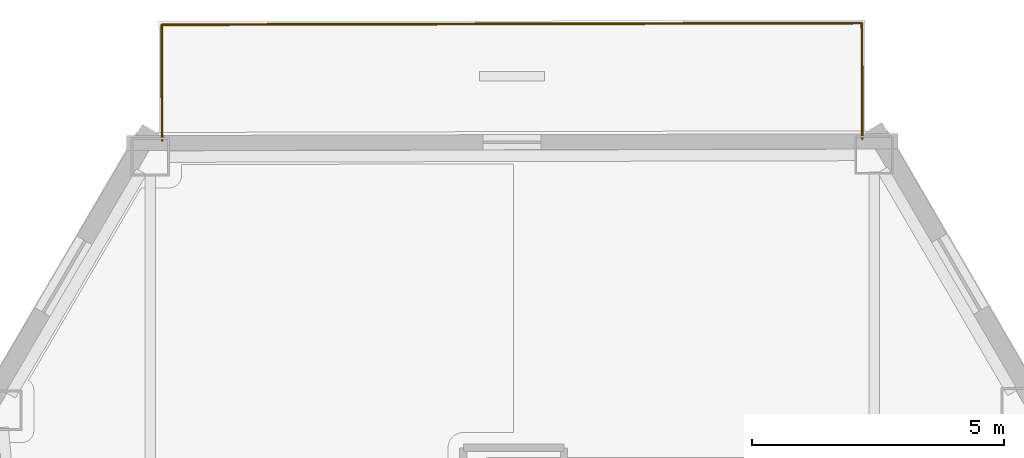
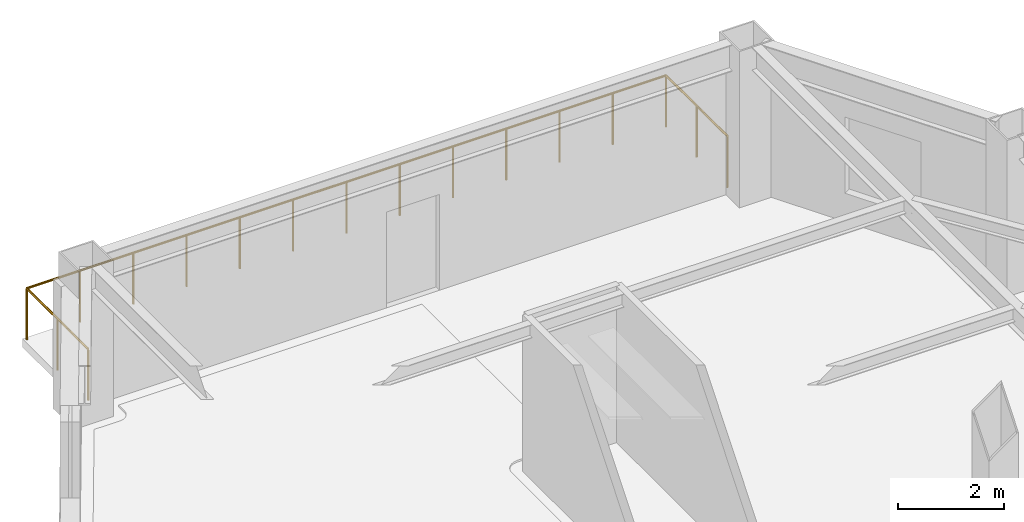
# One storey, part 15 of 15: 3 railings.
"""IFC4 building model written with IfcOpenShell, lengths in metres."""

from ifc_helpers import new_model, si_unit, direction, frame, origin, origin_2d, place, context, subcontext, project, spatial, circle, extrude, material, type_object, element, save


model = new_model("IFC4")

# Units and contexts
model_context = context("Model", 3, precision=1e-05, world=origin(), true_north=direction((0.0, 1.0)))
body_context = subcontext(model_context, "Body", "Model", "MODEL_VIEW")
ifc_project = project(units=[si_unit("LENGTHUNIT", "METRE"), si_unit("AREAUNIT", "SQUARE_METRE"), si_unit("VOLUMEUNIT", "CUBIC_METRE"), si_unit("PLANEANGLEUNIT", "RADIAN"), si_unit("MASSUNIT", "GRAM", prefix="KILO")], contexts=[model_context])

# Site, building, storey
site_placement = place(None, origin())
site = spatial("IfcSite", under=ifc_project, at=site_placement, CompositionType="ELEMENT")
building_placement = place(site_placement, origin())
building = spatial("IfcBuilding", under=site, at=building_placement, Name="Kavelnor Concourse Tower", CompositionType="ELEMENT")
storey_placement = place(building_placement, frame((0.0, 0.0, 63.75)))
storey = spatial("IfcBuildingStorey", under=building, at=storey_placement, Name="L16", CompositionType="ELEMENT", Elevation=63.75)

# Railings
ifc_material = material(Name="Architectural bronze-anodised aluminium", Category="aluminium")
railing_type = type_object("IfcRailingType", Name="RLG-TERRACE-1200", PredefinedType="BALUSTRADE", material=ifc_material)
railing_1_placement = place(storey_placement, frame((44.922607421875, 44.336181640625, 0.0)))
element("IfcRailing", 1, at=railing_1_placement, inside=storey, type_object=railing_type, Name="L16 Spiral Terrace Guardrail L", PredefinedType="BALUSTRADE", context=body_context, shape_type="SweptSolid", body=[
    extrude(circle(Radius=0.02392578125, at=origin_2d()), frame((0.0, 0.0, 1.17578125), z_axis=(-0.002441347146, 0.999997019908, 0.0), x_axis=(-0.999997019908, -0.002441347146, 0.0)), (0.0, 0.0, 1.0), 2.300048828125),
    extrude(circle(Radius=0.02099609375, at=origin_2d()), origin(), (0.0, 0.0, 1.0), 1.15185546875),
    extrude(circle(Radius=0.02099609375, at=origin_2d()), frame((-0.0029296875, 1.14990234375, 0.0)), (0.0, 0.0, 1.0), 1.15185546875),
    extrude(circle(Radius=0.02099609375, at=origin_2d()), frame((-0.005615234375, 2.300048828125, 0.0)), (0.0, 0.0, 1.0), 1.15185546875),
])
railing_2_placement = place(storey_placement, frame((44.9169921875, 46.63623046875, 0.0)))
element("IfcRailing", 2, at=railing_2_placement, inside=storey, type_object=railing_type, Name="L16 Spiral Terrace Guardrail F", PredefinedType="BALUSTRADE", context=body_context, shape_type="SweptSolid", body=[
    extrude(circle(Radius=0.02392578125, at=origin_2d()), frame((0.0, 0.0, 1.17578125), z_axis=(-0.999997107629, -0.002405147447, 0.0), x_axis=(0.002405147447, -0.999997107629, 0.0)), (0.0, 0.0, 1.0), 13.906494140625),
    extrude(circle(Radius=0.02099609375, at=origin_2d()), origin(), (0.0, 0.0, 1.0), 1.15185546875),
    extrude(circle(Radius=0.02099609375, at=origin_2d()), frame((-1.158935546875, -0.002685546875, 0.0)), (0.0, 0.0, 1.0), 1.15185546875),
    extrude(circle(Radius=0.02099609375, at=origin_2d()), frame((-2.31787109375, -0.005615234375, 0.0)), (0.0, 0.0, 1.0), 1.15185546875),
    extrude(circle(Radius=0.02099609375, at=origin_2d()), frame((-3.4765625, -0.00830078125, 0.0)), (0.0, 0.0, 1.0), 1.15185546875),
    extrude(circle(Radius=0.02099609375, at=origin_2d()), frame((-4.635498046875, -0.01123046875, 0.0)), (0.0, 0.0, 1.0), 1.15185546875),
    extrude(circle(Radius=0.02099609375, at=origin_2d()), frame((-5.79443359375, -0.013916015625, 0.0)), (0.0, 0.0, 1.0), 1.15185546875),
    extrude(circle(Radius=0.02099609375, at=origin_2d()), frame((-6.953125, -0.0166015625, 0.0)), (0.0, 0.0, 1.0), 1.15185546875),
    extrude(circle(Radius=0.02099609375, at=origin_2d()), frame((-8.112060546875, -0.01953125, 0.0)), (0.0, 0.0, 1.0), 1.15185546875),
    extrude(circle(Radius=0.02099609375, at=origin_2d()), frame((-9.27099609375, -0.022216796875, 0.0)), (0.0, 0.0, 1.0), 1.15185546875),
    extrude(circle(Radius=0.02099609375, at=origin_2d()), frame((-10.429931640625, -0.025146484375, 0.0)), (0.0, 0.0, 1.0), 1.15185546875),
    extrude(circle(Radius=0.02099609375, at=origin_2d()), frame((-11.5888671875, -0.02783203125, 0.0)), (0.0, 0.0, 1.0), 1.15185546875),
    extrude(circle(Radius=0.02099609375, at=origin_2d()), frame((-12.74755859375, -0.03076171875, 0.0)), (0.0, 0.0, 1.0), 1.15185546875),
    extrude(circle(Radius=0.02099609375, at=origin_2d()), frame((-13.906494140625, -0.033447265625, 0.0)), (0.0, 0.0, 1.0), 1.15185546875),
])
railing_3_placement = place(storey_placement, frame((31.010498046875, 46.602783203125, 0.0)))
element("IfcRailing", 3, at=railing_3_placement, inside=storey, type_object=railing_type, Name="L16 Spiral Terrace Guardrail R", PredefinedType="BALUSTRADE", context=body_context, shape_type="SweptSolid", body=[
    extrude(circle(Radius=0.02392578125, at=origin_2d()), frame((0.0, 0.0, 1.17578125), z_axis=(0.002441347146, -0.999997019908, 0.0), x_axis=(0.999997019908, 0.002441347146, 0.0)), (0.0, 0.0, 1.0), 2.300048828125),
    extrude(circle(Radius=0.02099609375, at=origin_2d()), origin(), (0.0, 0.0, 1.0), 1.15185546875),
    extrude(circle(Radius=0.02099609375, at=origin_2d()), frame((0.0029296875, -1.14990234375, 0.0)), (0.0, 0.0, 1.0), 1.15185546875),
    extrude(circle(Radius=0.02099609375, at=origin_2d()), frame((0.005615234375, -2.300048828125, 0.0)), (0.0, 0.0, 1.0), 1.15185546875),
])

save(model, "model.ifc")
